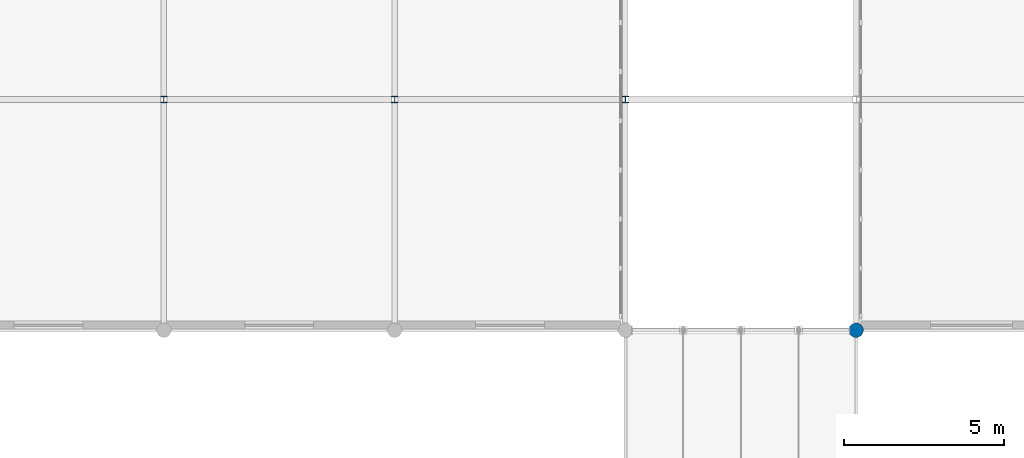
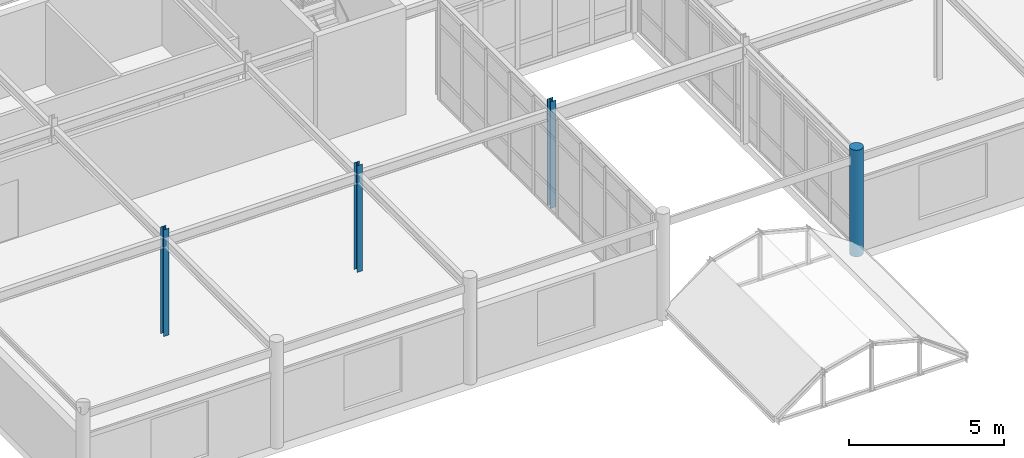
# One storey, part 5 of 85: 4 columns.
"""IFC4 building model written with IfcOpenShell, lengths in metres."""

from ifc_helpers import new_model, si_unit, direction, frame, origin, origin_2d, place, context, subcontext, project, spatial, circle, i_section, extrude, material, material_profile, profile_set, type_object, element, save


model = new_model("IFC4")

# Units and contexts
model_context = context("Model", 3, precision=1e-05, world=origin(), true_north=direction((0.0, 1.0)))
body_context = subcontext(model_context, "Body", "Model", "MODEL_VIEW")
ifc_project = project(units=[si_unit("LENGTHUNIT", "METRE"), si_unit("AREAUNIT", "SQUARE_METRE"), si_unit("VOLUMEUNIT", "CUBIC_METRE"), si_unit("PLANEANGLEUNIT", "RADIAN"), si_unit("MASSUNIT", "GRAM", prefix="KILO")], contexts=[model_context])

# Site, building, storey
site_placement = place(None, origin())
site = spatial("IfcSite", under=ifc_project, at=site_placement, CompositionType="ELEMENT")
building_placement = place(site_placement, origin())
building = spatial("IfcBuilding", under=site, at=building_placement, Name="Ochrevale Crest", CompositionType="ELEMENT")
storey_placement = place(building_placement, frame((0.0, 0.0, 4.5)))
storey = spatial("IfcBuildingStorey", under=building, at=storey_placement, Name="L01", CompositionType="ELEMENT", Elevation=4.5)

# Columns
ifc_material_1 = material(Name="Precast concrete C40/50", Category="concrete")
ifc_material_profile_1 = material_profile(ifc_material_1, circle(Radius=0.22509765625, at=origin_2d()), Name="RC D450")
ifc_profile_set_1 = profile_set([ifc_material_profile_1], Name="Precast concrete C40/50")
column_type_1 = type_object("IfcColumnType", Name="COL-RCD450", PredefinedType="COLUMN", material=ifc_profile_set_1)
column_placement = place(storey_placement, frame((86.39990234375, 7.199951171875, 0.0), z_axis=(0.0, 0.0, 1.0), x_axis=(1.0, 0.0, 0.0)))
element("IfcColumn", 1, at=column_placement, inside=storey, type_object=column_type_1, Name="Retail arcade L01 column (86.4,7.2)", PredefinedType="COLUMN", context=body_context, shape_type="SweptSolid", body=[
    extrude(circle(Radius=0.22509765625, at=origin_2d()), origin(), (0.0, 0.0, 1.0), 4.199951171875),
])
ifc_material_2 = material(Name="Steel S355", Category="steel")
ifc_material_profile_2 = material_profile(ifc_material_2, i_section(OverallWidth=0.203125, OverallDepth=0.203369140625, WebThickness=0.00732421875, FlangeThickness=0.010986328125, FilletRadius=0.01025390625, at=origin_2d()), Name="200UC46.2")
ifc_profile_set_2 = profile_set([ifc_material_profile_2], Name="Steel S355")
column_type_2 = type_object("IfcColumnType", Name="COL-UC200A", PredefinedType="COLUMN", material=ifc_profile_set_2)
for number, where, z_axis, x_axis, name in (
    (2, (64.800048828125, 14.39990234375, 0.0), (0.0, 0.0, 1.0), (1.0, 0.0, 0.0), "Retail arcade L01 column (64.8,14.4)"),
    (3, (72.0, 14.39990234375, 0.0), (0.0, 0.0, 1.0), (1.0, 0.0, 0.0), "Retail arcade L01 column (72.0,14.4)"),
    (4, (79.199951171875, 14.39990234375, 0.0), (0.0, 0.0, 1.0), (1.0, 0.0, 0.0), "Retail arcade L01 column (79.2,14.4)"),
):
    element("IfcColumn", number, at=place(storey_placement, frame(where, z_axis=z_axis, x_axis=x_axis)), inside=storey, type_object=column_type_2, Name=name, PredefinedType="COLUMN", context=body_context, shape_type="SweptSolid", body=[
        extrude(i_section(OverallWidth=0.203125, OverallDepth=0.203369140625, WebThickness=0.00732421875, FlangeThickness=0.010986328125, FilletRadius=0.01025390625, at=origin_2d()), origin(), (0.0, 0.0, 1.0), 4.199951171875),
    ])

save(model, "model.ifc")
